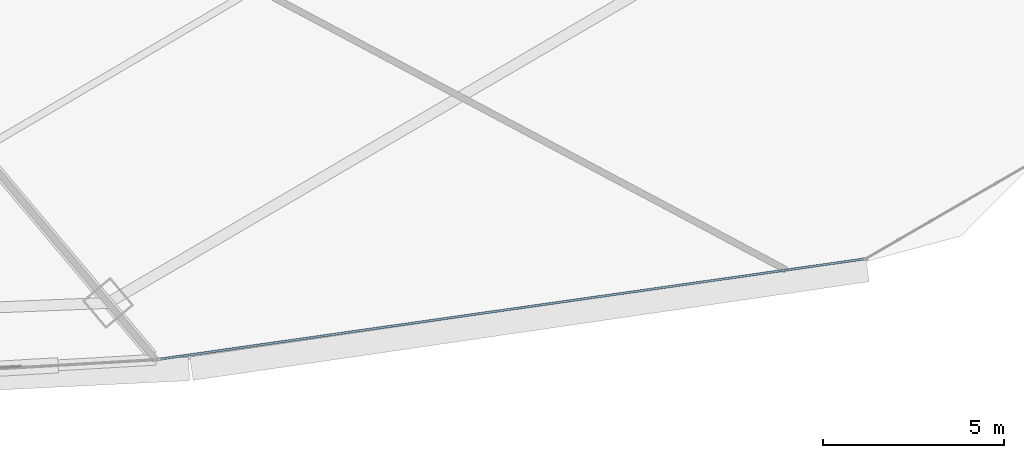
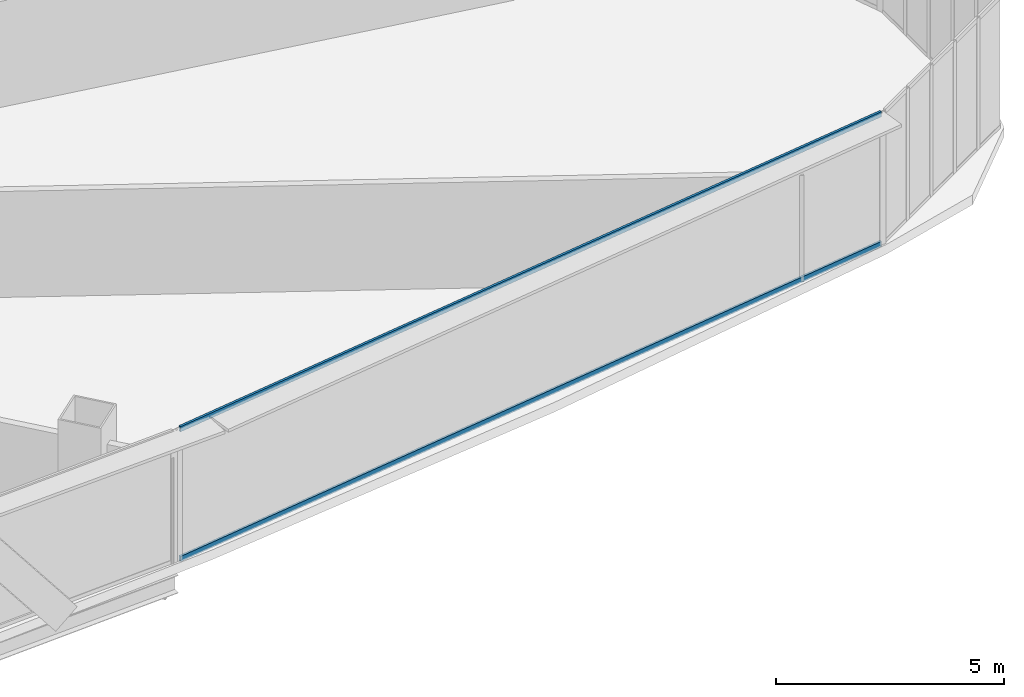
# One storey, part 19 of 39: 2 members, 1 element without a shape of its own.
"""IFC4 building model written with IfcOpenShell, lengths in metres."""

from ifc_helpers import new_model, si_unit, direction, frame, origin, origin_2d, place, context, subcontext, project, spatial, hollow_rectangle, extrude, source, transform, mapped, material, layer, layer_set, material_profile, profile_set, type_object, element, aggregate, save


model = new_model("IFC4")

# Units and contexts
model_context = context("Model", 3, precision=1e-05, world=origin(), true_north=direction((0.0, 1.0)))
body_context = subcontext(model_context, "Body", "Model", "MODEL_VIEW")
ifc_project = project(units=[si_unit("LENGTHUNIT", "METRE"), si_unit("AREAUNIT", "SQUARE_METRE"), si_unit("VOLUMEUNIT", "CUBIC_METRE"), si_unit("PLANEANGLEUNIT", "RADIAN"), si_unit("MASSUNIT", "GRAM", prefix="KILO"), si_unit("THERMODYNAMICTEMPERATUREUNIT", "KELVIN"), si_unit("POWERUNIT", "WATT")], contexts=[model_context])

# Site, building, storey
site_placement = place(None, origin())
site = spatial("IfcSite", under=ifc_project, at=site_placement, CompositionType="ELEMENT")
building_placement = place(site_placement, origin())
building = spatial("IfcBuilding", under=site, at=building_placement, Name="Yunzhuo Pagoda Commons", CompositionType="ELEMENT")
storey_placement = place(building_placement, frame((0.0, 0.0, 100.179931640625)))
storey = spatial("IfcBuildingStorey", under=building, at=storey_placement, Name="L25", CompositionType="ELEMENT", Elevation=100.179931640625)

# Curtain wall, members
ifc_material = material(Name="Anodized aluminium 6063-T6", Category="aluminium")
ifc_layer = layer(ifc_material, 0.1650390625)
ifc_layer_set = layer_set([ifc_layer], Name="Anodized aluminium 6063-T6")
curtain_wall_type = type_object("IfcCurtainWallType", Name="CW-LOW Low-Zone Ribbon Curtain Wall", PredefinedType="NOTDEFINED", material=ifc_layer_set)
curtain_wall_placement = place(storey_placement, origin())
curtain_wall = element("IfcCurtainWall", 1, at=curtain_wall_placement, inside=storey, type_object=curtain_wall_type, Name="L25 curtain wall CW-L25-F1B5", PredefinedType="NOTDEFINED")
ifc_material_profile = material_profile(ifc_material, hollow_rectangle(XDim=0.06005859375, YDim=0.139892578125, WallThickness=0.00341796875, at=origin_2d()), Name="Anodized aluminium 6063-T6")
ifc_profile_set = profile_set([ifc_material_profile], Name="Anodized aluminium 6063-T6")
member_type = type_object("IfcMemberType", Name="CW-LOW-T Transom RHS 140x60x3.5", PredefinedType="USERDEFINED", material=ifc_profile_set)
shared_shape = source(origin(), body_context, "Body", "SweptSolid", [
    extrude(hollow_rectangle(XDim=0.06005859375, YDim=0.139892578125, WallThickness=0.00341796875, at=origin_2d()), origin(), (0.0, 0.0, 1.0), 19.5625),
])
member_1_placement = place(storey_placement, frame((65.88818359375, 12.567138671875, 0.030029296875), z_axis=(0.99004337419, 0.140762627222, 0.0), x_axis=(-0.140762627222, 0.99004337419, 0.0)))
member_1 = element("IfcMember", 2, at=member_1_placement, type_object=member_type, Name="CW transom 1.1", ObjectType="TRANSOM", PredefinedType="USERDEFINED", context=body_context, shape_type="MappedRepresentation", body=[
    mapped(shared_shape, transform((0.0, 0.0, 0.0), scale=1.0)),
])
member_2_placement = place(storey_placement, frame((65.88818359375, 12.567138671875, 3.510009765625), z_axis=(0.99004337419, 0.140762627222, 0.0), x_axis=(-0.140762627222, 0.99004337419, 0.0)))
member_2 = element("IfcMember", 3, at=member_2_placement, type_object=member_type, Name="CW transom 1.2", ObjectType="TRANSOM", PredefinedType="USERDEFINED", context=body_context, shape_type="MappedRepresentation", body=[
    mapped(shared_shape, transform((0.0, 0.0, 0.0), scale=1.0)),
])
aggregate(curtain_wall, [member_1, member_2])

save(model, "model.ifc")
